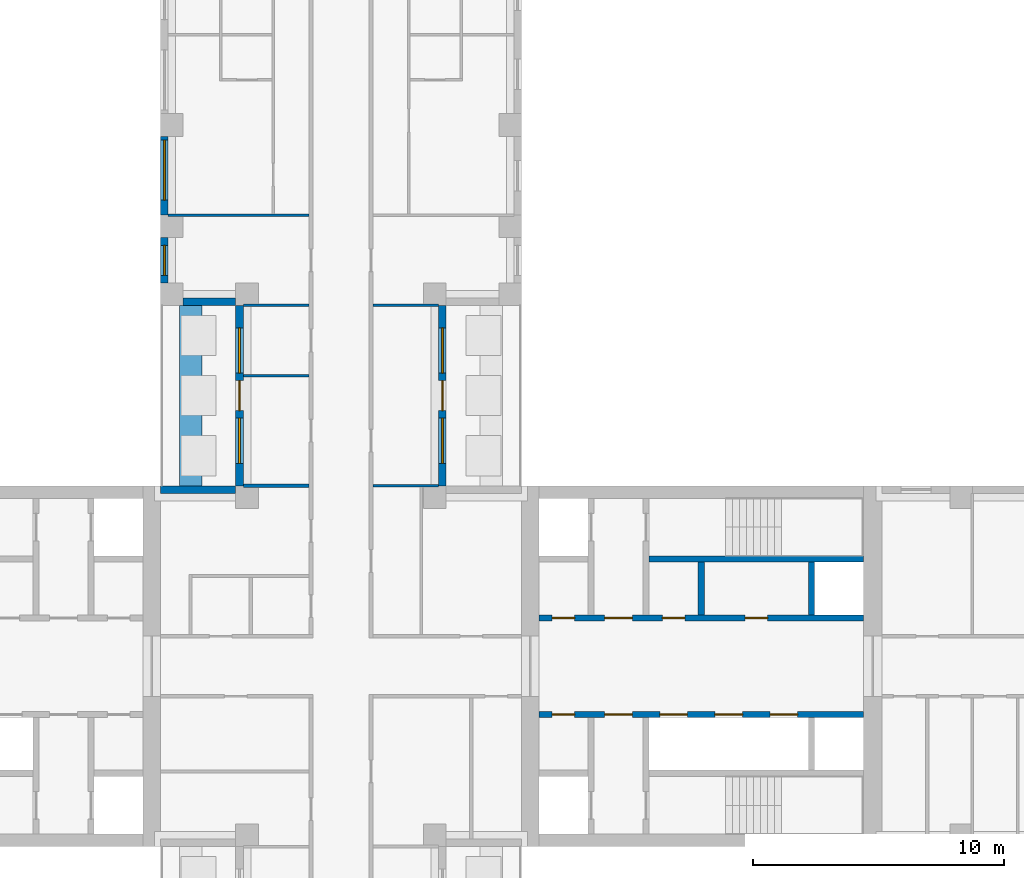
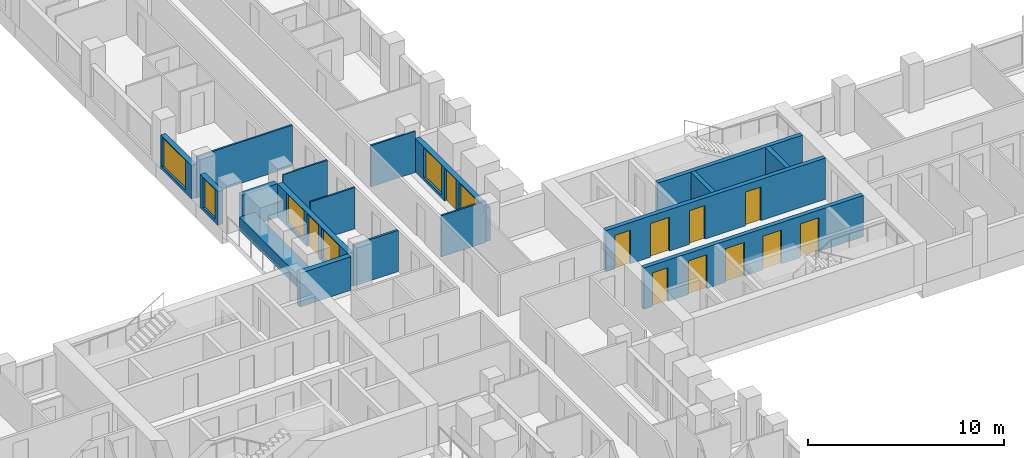
# One storey, part 9 of 16: 18 walls, 11 doors, 6 windows, 17 openings.
"""IFC4 building model written with IfcOpenShell, lengths in metres."""

from ifc_helpers import new_model, si_unit, direction, frame, frame_2d, origin, place, context, subcontext, project, spatial, rectangle, extrude, material, layer, layer_set, type_object, element, fill, save


model = new_model("IFC4")

# Units and contexts
model_context = context("Model", 3, precision=1e-05, world=origin(), true_north=direction((0.0, 1.0)))
body_context = subcontext(model_context, "Body", "Model", "MODEL_VIEW")
ifc_project = project(units=[si_unit("LENGTHUNIT", "METRE"), si_unit("AREAUNIT", "SQUARE_METRE"), si_unit("VOLUMEUNIT", "CUBIC_METRE"), si_unit("PLANEANGLEUNIT", "RADIAN"), si_unit("MASSUNIT", "GRAM", prefix="KILO")], contexts=[model_context])

# Site, building, storey
site_placement = place(None, origin())
site = spatial("IfcSite", under=ifc_project, at=site_placement, CompositionType="ELEMENT")
building_placement = place(site_placement, origin())
building = spatial("IfcBuilding", under=site, at=building_placement, Name="Fustian Cross Tower", CompositionType="ELEMENT")
storey_placement = place(building_placement, frame((0.0, 0.0, 26.699951171875)))
storey = spatial("IfcBuildingStorey", under=building, at=storey_placement, Name="L07", CompositionType="ELEMENT", Elevation=26.699951171875)

# Wall, openings, doors
ifc_material_1 = material(Name="Concrete C50/60", Category="concrete")
ifc_layer_1 = layer(ifc_material_1, 0.25)
ifc_layer_set_1 = layer_set([ifc_layer_1], Name="Concrete C50/60")
wall_type_1 = type_object("IfcWallType", Name="CORE LOBBY WALL 250 C50/60", PredefinedType="SHEAR", material=ifc_layer_set_1)
wall_1_placement = place(storey_placement, frame((7.89990234375, 1.925048828125, 0.0), z_axis=(0.0, 0.0, 1.0), x_axis=(1.0, 0.0, 0.0)))
wall_1 = element("IfcWall", 1, at=wall_1_placement, inside=storey, type_object=wall_type_1, Name="Core lobby wall", PredefinedType="SHEAR", context=body_context, shape_type="SweptSolid", body=[
    extrude(rectangle(XDim=12.9501953125, YDim=0.25, at=frame_2d((6.47509765625, 0.0))), origin(), (0.0, 0.0, 1.0), 2.574951171875),
])
opening_1_placement = place(wall_1_placement, frame((0.52490234375, 0.0, 0.0)))
opening_1 = element("IfcOpeningElement", 2, at=opening_1_placement, cuts=wall_1, Name="Opening CD-05-08", PredefinedType="OPENING", context=body_context, shape_type="SweptSolid", body=[
    extrude(rectangle(XDim=0.89990234375, YDim=2.10009765625, at=frame_2d((0.449951171875, 1.050048828125))), frame((0.0, 0.135009765625, 0.0), z_axis=(0.0, -1.0, 0.0), x_axis=(1.0, 0.0, 0.0)), (0.0, 0.0, 1.0), 0.27001953125),
])
opening_2_placement = place(wall_1_placement, frame((2.625, 0.0, 0.0)))
opening_2 = element("IfcOpeningElement", 3, at=opening_2_placement, cuts=wall_1, Name="Opening CD-05-10", PredefinedType="OPENING", context=body_context, shape_type="SweptSolid", body=[
    extrude(rectangle(XDim=1.10009765625, YDim=2.10009765625, at=frame_2d((0.550048828125, 1.050048828125))), frame((0.0, 0.135009765625, 0.0), z_axis=(0.0, -1.0, 0.0), x_axis=(1.0, 0.0, 0.0)), (0.0, 0.0, 1.0), 0.27001953125),
])
opening_3_placement = place(wall_1_placement, frame((4.925048828125, 0.0, 0.0)))
opening_3 = element("IfcOpeningElement", 4, at=opening_3_placement, cuts=wall_1, Name="Opening CD-05-14", PredefinedType="OPENING", context=body_context, shape_type="SweptSolid", body=[
    extrude(rectangle(XDim=0.89990234375, YDim=2.10009765625, at=frame_2d((0.449951171875, 1.050048828125))), frame((0.0, 0.135009765625, 0.0), z_axis=(0.0, -1.0, 0.0), x_axis=(1.0, 0.0, 0.0)), (0.0, 0.0, 1.0), 0.27001953125),
])
opening_4_placement = place(wall_1_placement, frame((8.22509765625, 0.0, 0.0)))
opening_4 = element("IfcOpeningElement", 5, at=opening_4_placement, cuts=wall_1, Name="Opening CD-05-15", PredefinedType="OPENING", context=body_context, shape_type="SweptSolid", body=[
    extrude(rectangle(XDim=0.89990234375, YDim=2.10009765625, at=frame_2d((0.449951171875, 1.050048828125))), frame((0.0, 0.135009765625, 0.0), z_axis=(0.0, -1.0, 0.0), x_axis=(1.0, 0.0, 0.0)), (0.0, 0.0, 1.0), 0.27001953125),
])
ifc_material_2 = material(Name="Steel", Category="steel")
door_type_1 = type_object("IfcDoorType", Name="FIRE DOOR FD30S 900X2100", OperationType="SINGLE_SWING_LEFT", PredefinedType="DOOR", material=ifc_material_2)
door_1_placement = place(opening_3_placement, origin())
door_1 = element("IfcDoor", 6, at=door_1_placement, inside=storey, type_object=door_type_1, Name="Core door CD-05-14", OperationType="SINGLE_SWING_LEFT", OverallHeight=2.10009765625, OverallWidth=0.89990234375, PredefinedType="DOOR", context=body_context, shape_type="SweptSolid", body=[
    extrude(rectangle(XDim=0.89990234375, YDim=2.10009765625, at=frame_2d((0.449951171875, 1.050048828125))), frame((0.0, 0.02490234375, 0.0), z_axis=(0.0, -1.0, 0.0), x_axis=(1.0, 0.0, 0.0)), (0.0, 0.0, 1.0), 0.050048828125),
])
fill(opening_3, door_1)
door_2_placement = place(opening_4_placement, origin())
door_2 = element("IfcDoor", 7, at=door_2_placement, inside=storey, type_object=door_type_1, Name="Core door CD-05-15", OperationType="SINGLE_SWING_RIGHT", OverallHeight=2.10009765625, OverallWidth=0.89990234375, PredefinedType="DOOR", context=body_context, shape_type="SweptSolid", body=[
    extrude(rectangle(XDim=0.89990234375, YDim=2.10009765625, at=frame_2d((0.449951171875, 1.050048828125))), frame((0.0, 0.02490234375, 0.0), z_axis=(0.0, -1.0, 0.0), x_axis=(1.0, 0.0, 0.0)), (0.0, 0.0, 1.0), 0.050048828125),
])
fill(opening_4, door_2)
ifc_material_3 = material(Name="Steel", Category="steel")
door_type_2 = type_object("IfcDoorType", Name="FIRE DOOR FD60S 1100X2100", OperationType="SINGLE_SWING_LEFT", PredefinedType="DOOR", material=ifc_material_3)
door_3_placement = place(opening_2_placement, frame((1.10009765625, 0.0, 0.0), z_axis=(0.0, 0.0, 1.0), x_axis=(-1.0, 0.0, 0.0)))
door_3 = element("IfcDoor", 8, at=door_3_placement, inside=storey, type_object=door_type_2, Name="Core door CD-05-10", OperationType="SINGLE_SWING_RIGHT", OverallHeight=2.10009765625, OverallWidth=1.10009765625, PredefinedType="DOOR", context=body_context, shape_type="SweptSolid", body=[
    extrude(rectangle(XDim=1.10009765625, YDim=2.10009765625, at=frame_2d((0.550048828125, 1.050048828125))), frame((0.0, 0.02490234375, 0.0), z_axis=(0.0, -1.0, 0.0), x_axis=(1.0, 0.0, 0.0)), (0.0, 0.0, 1.0), 0.050048828125),
])
fill(opening_2, door_3)
ifc_material_4 = material(Name="Steel", Category="steel")
door_type_3 = type_object("IfcDoorType", Name="FIRE DOOR FD60S 900X2100", OperationType="SINGLE_SWING_LEFT", PredefinedType="DOOR", material=ifc_material_4)
door_4_placement = place(opening_1_placement, origin())
door_4 = element("IfcDoor", 9, at=door_4_placement, inside=storey, type_object=door_type_3, Name="Core door CD-05-08", OperationType="SINGLE_SWING_LEFT", OverallHeight=2.10009765625, OverallWidth=0.89990234375, PredefinedType="DOOR", context=body_context, shape_type="SweptSolid", body=[
    extrude(rectangle(XDim=0.89990234375, YDim=2.10009765625, at=frame_2d((0.449951171875, 1.050048828125))), frame((0.0, 0.02490234375, 0.0), z_axis=(0.0, -1.0, 0.0), x_axis=(1.0, 0.0, 0.0)), (0.0, 0.0, 1.0), 0.050048828125),
])
fill(opening_1, door_4)

wall_2_placement = place(storey_placement, frame((7.89990234375, -1.925048828125, 0.0), z_axis=(0.0, 0.0, 1.0), x_axis=(1.0, 0.0, 0.0)))
wall_2 = element("IfcWall", 10, at=wall_2_placement, inside=storey, type_object=wall_type_1, Name="Core lobby wall", PredefinedType="SHEAR", context=body_context, shape_type="SweptSolid", body=[
    extrude(rectangle(XDim=12.9501953125, YDim=0.25, at=frame_2d((6.47509765625, 0.0))), origin(), (0.0, 0.0, 1.0), 2.574951171875),
])
opening_5_placement = place(wall_2_placement, frame((4.824951171875, 0.0, 0.0)))
opening_5 = element("IfcOpeningElement", 11, at=opening_5_placement, cuts=wall_2, Name="Opening LD", PredefinedType="OPENING", context=body_context, shape_type="SweptSolid", body=[
    extrude(rectangle(XDim=1.10009765625, YDim=2.10009765625, at=frame_2d((0.550048828125, 1.050048828125))), frame((0.0, 0.135009765625, 0.0), z_axis=(0.0, -1.0, 0.0), x_axis=(1.0, 0.0, 0.0)), (0.0, 0.0, 1.0), 0.27001953125),
])
opening_6_placement = place(wall_2_placement, frame((7.02490234375, 0.0, 0.0)))
opening_6 = element("IfcOpeningElement", 12, at=opening_6_placement, cuts=wall_2, Name="Opening LD", PredefinedType="OPENING", context=body_context, shape_type="SweptSolid", body=[
    extrude(rectangle(XDim=1.10009765625, YDim=2.10009765625, at=frame_2d((0.550048828125, 1.050048828125))), frame((0.0, 0.135009765625, 0.0), z_axis=(0.0, -1.0, 0.0), x_axis=(1.0, 0.0, 0.0)), (0.0, 0.0, 1.0), 0.27001953125),
])
opening_7_placement = place(wall_2_placement, frame((9.22509765625, 0.0, 0.0)))
opening_7 = element("IfcOpeningElement", 13, at=opening_7_placement, cuts=wall_2, Name="Opening LD", PredefinedType="OPENING", context=body_context, shape_type="SweptSolid", body=[
    extrude(rectangle(XDim=1.10009765625, YDim=2.10009765625, at=frame_2d((0.550048828125, 1.050048828125))), frame((0.0, 0.135009765625, 0.0), z_axis=(0.0, -1.0, 0.0), x_axis=(1.0, 0.0, 0.0)), (0.0, 0.0, 1.0), 0.27001953125),
])
opening_8_placement = place(wall_2_placement, frame((0.52490234375, 0.0, 0.0)))
opening_8 = element("IfcOpeningElement", 14, at=opening_8_placement, cuts=wall_2, Name="Opening CD-05-09", PredefinedType="OPENING", context=body_context, shape_type="SweptSolid", body=[
    extrude(rectangle(XDim=0.89990234375, YDim=2.10009765625, at=frame_2d((0.449951171875, 1.050048828125))), frame((0.0, 0.135009765625, 0.0), z_axis=(0.0, -1.0, 0.0), x_axis=(1.0, 0.0, 0.0)), (0.0, 0.0, 1.0), 0.27001953125),
])
opening_9_placement = place(wall_2_placement, frame((2.625, 0.0, 0.0)))
opening_9 = element("IfcOpeningElement", 15, at=opening_9_placement, cuts=wall_2, Name="Opening CD-05-11", PredefinedType="OPENING", context=body_context, shape_type="SweptSolid", body=[
    extrude(rectangle(XDim=1.10009765625, YDim=2.10009765625, at=frame_2d((0.550048828125, 1.050048828125))), frame((0.0, 0.135009765625, 0.0), z_axis=(0.0, -1.0, 0.0), x_axis=(1.0, 0.0, 0.0)), (0.0, 0.0, 1.0), 0.27001953125),
])
ifc_material_5 = material(Name="Steel", Category="steel")
door_type_4 = type_object("IfcDoorType", Name="FIRE DOOR FD30S 1100X2100", OperationType="SINGLE_SWING_LEFT", PredefinedType="DOOR", material=ifc_material_5)
door_5_placement = place(opening_9_placement, frame((1.10009765625, 0.0, 0.0), z_axis=(0.0, 0.0, 1.0), x_axis=(-1.0, 0.0, 0.0)))
door_5 = element("IfcDoor", 16, at=door_5_placement, inside=storey, type_object=door_type_4, Name="Core door CD-05-11", OperationType="SINGLE_SWING_RIGHT", OverallHeight=2.10009765625, OverallWidth=1.10009765625, PredefinedType="DOOR", context=body_context, shape_type="SweptSolid", body=[
    extrude(rectangle(XDim=1.10009765625, YDim=2.10009765625, at=frame_2d((0.550048828125, 1.050048828125))), frame((0.0, 0.02490234375, 0.0), z_axis=(0.0, -1.0, 0.0), x_axis=(1.0, 0.0, 0.0)), (0.0, 0.0, 1.0), 0.050048828125),
])
fill(opening_9, door_5)
door_6_placement = place(opening_8_placement, frame((0.89990234375, 0.0, 0.0), z_axis=(0.0, 0.0, 1.0), x_axis=(-1.0, 0.0, 0.0)))
door_6 = element("IfcDoor", 17, at=door_6_placement, inside=storey, type_object=door_type_1, Name="Core door CD-05-09", OperationType="SINGLE_SWING_RIGHT", OverallHeight=2.10009765625, OverallWidth=0.89990234375, PredefinedType="DOOR", context=body_context, shape_type="SweptSolid", body=[
    extrude(rectangle(XDim=0.89990234375, YDim=2.10009765625, at=frame_2d((0.449951171875, 1.050048828125))), frame((0.0, 0.02490234375, 0.0), z_axis=(0.0, -1.0, 0.0), x_axis=(1.0, 0.0, 0.0)), (0.0, 0.0, 1.0), 0.050048828125),
])
fill(opening_8, door_6)
ifc_material_6 = material(Name="Stainless steel", Category="steel")
door_type_5 = type_object("IfcDoorType", Name="LIFT LANDING DOOR 1100X2100", OperationType="SLIDING_TO_LEFT", PredefinedType="DOOR", material=ifc_material_6)
door_7_placement = place(opening_5_placement, origin())
door_7 = element("IfcDoor", 18, at=door_7_placement, inside=storey, type_object=door_type_5, Name="Landing door LR1", OperationType="SLIDING_TO_LEFT", OverallHeight=2.10009765625, OverallWidth=1.10009765625, PredefinedType="DOOR", context=body_context, shape_type="SweptSolid", body=[
    extrude(rectangle(XDim=1.10009765625, YDim=2.10009765625, at=frame_2d((0.550048828125, 1.050048828125))), frame((0.0, 0.02490234375, 0.0), z_axis=(0.0, -1.0, 0.0), x_axis=(1.0, 0.0, 0.0)), (0.0, 0.0, 1.0), 0.050048828125),
])
fill(opening_5, door_7)
door_8_placement = place(opening_6_placement, origin())
door_8 = element("IfcDoor", 19, at=door_8_placement, inside=storey, type_object=door_type_5, Name="Landing door LR2", OperationType="SLIDING_TO_LEFT", OverallHeight=2.10009765625, OverallWidth=1.10009765625, PredefinedType="DOOR", context=body_context, shape_type="SweptSolid", body=[
    extrude(rectangle(XDim=1.10009765625, YDim=2.10009765625, at=frame_2d((0.550048828125, 1.050048828125))), frame((0.0, 0.02490234375, 0.0), z_axis=(0.0, -1.0, 0.0), x_axis=(1.0, 0.0, 0.0)), (0.0, 0.0, 1.0), 0.050048828125),
])
fill(opening_6, door_8)
door_9_placement = place(opening_7_placement, origin())
door_9 = element("IfcDoor", 20, at=door_9_placement, inside=storey, type_object=door_type_5, Name="Landing door LR3", OperationType="SLIDING_TO_LEFT", OverallHeight=2.10009765625, OverallWidth=1.10009765625, PredefinedType="DOOR", context=body_context, shape_type="SweptSolid", body=[
    extrude(rectangle(XDim=1.10009765625, YDim=2.10009765625, at=frame_2d((0.550048828125, 1.050048828125))), frame((0.0, 0.02490234375, 0.0), z_axis=(0.0, -1.0, 0.0), x_axis=(1.0, 0.0, 0.0)), (0.0, 0.0, 1.0), 0.050048828125),
])
fill(opening_7, door_9)

# Walls
ifc_material_7 = material(Name="Concrete C50/60", Category="concrete")
ifc_layer_2 = layer(ifc_material_7, 0.25)
ifc_layer_set_2 = layer_set([ifc_layer_2], Name="Concrete C50/60")
wall_type_2 = type_object("IfcWallType", Name="CORE SHAFT WALL 250 C50/60", PredefinedType="SHEAR", material=ifc_layer_set_2)
wall_3_placement = place(storey_placement, frame((12.300048828125, 4.27490234375, 0.0), z_axis=(0.0, 0.0, 1.0), x_axis=(1.0, 0.0, 0.0)))
element("IfcWall", 21, at=wall_3_placement, inside=storey, type_object=wall_type_2, Name="Core shaft wall", PredefinedType="SHEAR", context=body_context, shape_type="SweptSolid", body=[
    extrude(rectangle(XDim=8.550048828125, YDim=0.25, at=frame_2d((4.27490234375, 0.0))), origin(), (0.0, 0.0, 1.0), 2.574951171875),
])
ifc_material_8 = material(Name="Plasterboard on steel stud", Category="steel")
ifc_layer_3 = layer(ifc_material_8, 0.10009765625)
ifc_layer_set_3 = layer_set([ifc_layer_3], Name="Plasterboard on steel stud")
wall_type_3 = type_object("IfcWallType", Name="PARTITION 100 STUD", PredefinedType="PARTITIONING", material=ifc_layer_set_3)
wall_4_placement = place(storey_placement, frame((-6.89990234375, 18.0, 0.0), z_axis=(0.0, 0.0, 1.0), x_axis=(1.0, 0.0, 0.0)))
element("IfcWall", 22, at=wall_4_placement, inside=storey, type_object=wall_type_3, Name="Partition 24", PredefinedType="PARTITIONING", context=body_context, shape_type="SweptSolid", body=[
    extrude(rectangle(XDim=5.625, YDim=0.10009765625, at=frame_2d((2.8125, 0.0))), origin(), (0.0, 0.0, 1.0), 2.574951171875),
])
for number, where, z_axis, x_axis, name in (
    (23, (-3.89990234375, 11.60009765625, 0.0), (0.0, 0.0, 1.0), (1.0, 0.0, 0.0), "Partition 46"),
    (24, (-3.89990234375, 14.39990234375, 0.0), (0.0, 0.0, 1.0), (1.0, 0.0, 0.0), "Partition 47"),
    (25, (1.27490234375, 7.199951171875, 0.0), (0.0, 0.0, 1.0), (1.0, 0.0, 0.0), "Partition 60"),
    (26, (1.27490234375, 14.39990234375, 0.0), (0.0, 0.0, 1.0), (1.0, 0.0, 0.0), "Partition 61"),
):
    element("IfcWall", number, at=place(storey_placement, frame(where, z_axis=z_axis, x_axis=x_axis)), inside=storey, type_object=wall_type_3, Name=name, PredefinedType="PARTITIONING", context=body_context, shape_type="SweptSolid", body=[
        extrude(rectangle(XDim=2.625, YDim=0.10009765625, at=frame_2d((1.3125, 0.0))), origin(), (0.0, 0.0, 1.0), 2.574951171875),
    ])
ifc_material_9 = material(Name="Concrete C40/50", Category="concrete")
ifc_layer_4 = layer(ifc_material_9, 0.89990234375)
ifc_layer_set_4 = layer_set([ifc_layer_4], Name="Concrete C40/50")
wall_type_4 = type_object("IfcWallType", Name="PK1 PLANTER 900", PredefinedType="PARAPET", material=ifc_layer_set_4)
wall_5_placement = place(storey_placement, frame((-6.0, 7.199951171875, 0.0), z_axis=(0.0, 0.0, 1.0), x_axis=(0.0, 1.0, 0.0)))
element("IfcWall", 27, at=wall_5_placement, inside=storey, type_object=wall_type_4, Name="PLANTER", PredefinedType="PARAPET", context=body_context, shape_type="SweptSolid", body=[
    extrude(rectangle(XDim=7.199951171875, YDim=0.89990234375, at=frame_2d((3.60009765625, 0.0))), origin(), (0.0, 0.0, 1.0), 0.800048828125),
])
ifc_material_10 = material(Name="Concrete C40/50", Category="concrete")
ifc_layer_5 = layer(ifc_material_10, 0.25)
ifc_layer_set_5 = layer_set([ifc_layer_5], Name="Concrete C40/50")
wall_type_5 = type_object("IfcWallType", Name="SHAFT PARTITION WALL 250 C40/50", PredefinedType="PARTITIONING", material=ifc_layer_set_5)
for number, where, z_axis, x_axis, name in (
    (28, (14.375, 2.050048828125, 0.0), (0.0, 0.0, 1.0), (0.0, 1.0, 0.0), "Core shaft wall"),
    (29, (18.77490234375, 2.050048828125, 0.0), (0.0, 0.0, 1.0), (0.0, 1.0, 0.0), "Core shaft wall"),
):
    element("IfcWall", number, at=place(storey_placement, frame(where, z_axis=z_axis, x_axis=x_axis)), inside=storey, type_object=wall_type_5, Name=name, PredefinedType="PARTITIONING", context=body_context, shape_type="SweptSolid", body=[
        extrude(rectangle(XDim=2.099853515625, YDim=0.25, at=frame_2d((1.0498046875, 0.0))), origin(), (0.0, 0.0, 1.0), 2.574951171875),
    ])
ifc_material_11 = material(Name="Plasterboard on steel stud", Category="steel")
ifc_layer_6 = layer(ifc_material_11, 0.125)
ifc_layer_set_6 = layer_set([ifc_layer_6], Name="Plasterboard on steel stud")
wall_type_6 = type_object("IfcWallType", Name="WET WALL 125 STUD", PredefinedType="PARTITIONING", material=ifc_layer_set_6)
wall_6_placement = place(storey_placement, frame((-3.89990234375, 7.199951171875, 0.0), z_axis=(0.0, 0.0, 1.0), x_axis=(1.0, 0.0, 0.0)))
element("IfcWall", 30, at=wall_6_placement, inside=storey, type_object=wall_type_6, Name="Partition 45", PredefinedType="PARTITIONING", context=body_context, shape_type="SweptSolid", body=[
    extrude(rectangle(XDim=2.625, YDim=0.125, at=frame_2d((1.3125, 0.0))), origin(), (0.0, 0.0, 1.0), 2.574951171875),
])

# Wall, openings, door, windows
ifc_material_12 = material(Name="Dark aluminium cladding on insulated backing wall", Category="aluminium")
ifc_layer_7 = layer(ifc_material_12, 0.300048828125)
ifc_layer_set_7 = layer_set([ifc_layer_7], Name="Dark aluminium cladding on insulated backing wall")
wall_type_7 = type_object("IfcWallType", Name="XW1 EXTERNAL WALL 300", PredefinedType="SOLIDWALL", material=ifc_layer_set_7)
wall_7_placement = place(storey_placement, frame((4.050048828125, 7.199951171875, 0.0), z_axis=(0.0, 0.0, 1.0), x_axis=(0.0, 1.0, 0.0)))
wall_7 = element("IfcWall", 31, at=wall_7_placement, inside=storey, type_object=wall_type_7, Name="External wall", PredefinedType="SOLIDWALL", context=body_context, shape_type="SweptSolid", body=[
    extrude(rectangle(XDim=7.199951171875, YDim=0.300048828125, at=frame_2d((3.60009765625, 0.0))), origin(), (0.0, 0.0, 1.0), 2.10009765625),
])
opening_10_placement = place(wall_7_placement, frame((3.0, 0.0, 0.0)))
opening_10 = element("IfcOpeningElement", 32, at=opening_10_placement, cuts=wall_7, Name="Opening XD1", PredefinedType="OPENING", context=body_context, shape_type="SweptSolid", body=[
    extrude(rectangle(XDim=1.199951171875, YDim=2.050048828125, at=frame_2d((0.60009765625, 1.02490234375))), frame((0.0, 0.159912109375, 0.0), z_axis=(0.0, -1.0, 0.0), x_axis=(1.0, 0.0, 0.0)), (0.0, 0.0, 1.0), 0.320068359375),
])
opening_11_placement = place(wall_7_placement, frame((0.89990234375, 0.0, 0.199951171875)))
opening_11 = element("IfcOpeningElement", 33, at=opening_11_placement, cuts=wall_7, Name="Opening WN2", PredefinedType="OPENING", context=body_context, shape_type="SweptSolid", body=[
    extrude(rectangle(XDim=1.800048828125, YDim=1.85009765625, at=frame_2d((0.89990234375, 0.925048828125))), frame((0.0, 0.159912109375, 0.0), z_axis=(0.0, -1.0, 0.0), x_axis=(1.0, 0.0, 0.0)), (0.0, 0.0, 1.0), 0.320068359375),
])
opening_12_placement = place(wall_7_placement, frame((4.5, 0.0, 0.199951171875)))
opening_12 = element("IfcOpeningElement", 34, at=opening_12_placement, cuts=wall_7, Name="Opening WN2", PredefinedType="OPENING", context=body_context, shape_type="SweptSolid", body=[
    extrude(rectangle(XDim=1.800048828125, YDim=1.85009765625, at=frame_2d((0.89990234375, 0.925048828125))), frame((0.0, 0.159912109375, 0.0), z_axis=(0.0, -1.0, 0.0), x_axis=(1.0, 0.0, 0.0)), (0.0, 0.0, 1.0), 0.320068359375),
])
ifc_material_13 = material(Name="Dark anodised aluminium and double glazing", Category="aluminium")
door_type_6 = type_object("IfcDoorType", Name="ED1 BALCONY DOOR 1200X2050", OperationType="SINGLE_SWING_LEFT", PredefinedType="DOOR", material=ifc_material_13)
door_10_placement = place(opening_10_placement, origin())
door_10 = element("IfcDoor", 35, at=door_10_placement, inside=storey, type_object=door_type_6, Name="Balcony door", OperationType="SINGLE_SWING_LEFT", OverallHeight=2.050048828125, OverallWidth=1.199951171875, PredefinedType="DOOR", context=body_context, shape_type="SweptSolid", body=[
    extrude(rectangle(XDim=1.199951171875, YDim=2.050048828125, at=frame_2d((0.60009765625, 1.02490234375))), frame((0.0, 0.02490234375, 0.0), z_axis=(0.0, -1.0, 0.0), x_axis=(1.0, 0.0, 0.0)), (0.0, 0.0, 1.0), 0.050048828125),
])
fill(opening_10, door_10)
ifc_material_14 = material(Name="Dark anodised aluminium and double glazing", Category="aluminium")
window_type_1 = type_object("IfcWindowType", Name="WN2 WINDOW 1800X1850", PartitioningType="SINGLE_PANEL", PredefinedType="WINDOW", material=ifc_material_14)
window_1_placement = place(opening_11_placement, origin())
window_1 = element("IfcWindow", 36, at=window_1_placement, inside=storey, type_object=window_type_1, Name="Window", OverallHeight=1.85009765625, OverallWidth=1.800048828125, PartitioningType="SINGLE_PANEL", PredefinedType="WINDOW", context=body_context, shape_type="SweptSolid", body=[
    extrude(rectangle(XDim=1.800048828125, YDim=1.85009765625, at=frame_2d((0.89990234375, 0.925048828125))), frame((0.0, 0.030029296875, 0.0), z_axis=(0.0, -1.0, 0.0), x_axis=(1.0, 0.0, 0.0)), (0.0, 0.0, 1.0), 0.06005859375),
])
fill(opening_11, window_1)
window_2_placement = place(opening_12_placement, origin())
window_2 = element("IfcWindow", 37, at=window_2_placement, inside=storey, type_object=window_type_1, Name="Window", OverallHeight=1.85009765625, OverallWidth=1.800048828125, PartitioningType="SINGLE_PANEL", PredefinedType="WINDOW", context=body_context, shape_type="SweptSolid", body=[
    extrude(rectangle(XDim=1.800048828125, YDim=1.85009765625, at=frame_2d((0.89990234375, 0.925048828125))), frame((0.0, 0.030029296875, 0.0), z_axis=(0.0, -1.0, 0.0), x_axis=(1.0, 0.0, 0.0)), (0.0, 0.0, 1.0), 0.06005859375),
])
fill(opening_12, window_2)

# Wall, opening, window
wall_8_placement = place(storey_placement, frame((-7.050048828125, 21.14990234375, 0.0), z_axis=(0.0, 0.0, 1.0), x_axis=(0.0, -1.0, 0.0)))
wall_8 = element("IfcWall", 38, at=wall_8_placement, inside=storey, type_object=wall_type_7, Name="External wall", PredefinedType="SOLIDWALL", context=body_context, shape_type="SweptSolid", body=[
    extrude(rectangle(XDim=3.14990234375, YDim=0.300048828125, at=frame_2d((1.574951171875, 0.0))), origin(), (0.0, 0.0, 1.0), 2.10009765625),
])
opening_13_placement = place(wall_8_placement, frame((0.14990234375, 0.0, 0.199951171875)))
opening_13 = element("IfcOpeningElement", 39, at=opening_13_placement, cuts=wall_8, Name="Opening WN1", PredefinedType="OPENING", context=body_context, shape_type="SweptSolid", body=[
    extrude(rectangle(XDim=2.39990234375, YDim=1.85009765625, at=frame_2d((1.199951171875, 0.925048828125))), frame((0.0, 0.159912109375, 0.0), z_axis=(0.0, -1.0, 0.0), x_axis=(1.0, 0.0, 0.0)), (0.0, 0.0, 1.0), 0.320068359375),
])
ifc_material_15 = material(Name="Dark anodised aluminium and double glazing", Category="aluminium")
window_type_2 = type_object("IfcWindowType", Name="WN1 WINDOW 2400X1850", PartitioningType="SINGLE_PANEL", PredefinedType="WINDOW", material=ifc_material_15)
window_3_placement = place(opening_13_placement, origin())
window_3 = element("IfcWindow", 40, at=window_3_placement, inside=storey, type_object=window_type_2, Name="Window", OverallHeight=1.85009765625, OverallWidth=2.39990234375, PartitioningType="SINGLE_PANEL", PredefinedType="WINDOW", context=body_context, shape_type="SweptSolid", body=[
    extrude(rectangle(XDim=2.39990234375, YDim=1.85009765625, at=frame_2d((1.199951171875, 0.925048828125))), frame((0.0, 0.030029296875, 0.0), z_axis=(0.0, -1.0, 0.0), x_axis=(1.0, 0.0, 0.0)), (0.0, 0.0, 1.0), 0.06005859375),
])
fill(opening_13, window_3)

wall_9_placement = place(storey_placement, frame((-7.050048828125, 17.10009765625, 0.0), z_axis=(0.0, 0.0, 1.0), x_axis=(0.0, -1.0, 0.0)))
wall_9 = element("IfcWall", 41, at=wall_9_placement, inside=storey, type_object=wall_type_7, Name="External wall", PredefinedType="SOLIDWALL", context=body_context, shape_type="SweptSolid", body=[
    extrude(rectangle(XDim=1.800048828125, YDim=0.300048828125, at=frame_2d((0.89990234375, 0.0))), origin(), (0.0, 0.0, 1.0), 2.10009765625),
])
opening_14_placement = place(wall_9_placement, frame((0.300048828125, 0.0, 0.199951171875)))
opening_14 = element("IfcOpeningElement", 42, at=opening_14_placement, cuts=wall_9, Name="Opening WN3", PredefinedType="OPENING", context=body_context, shape_type="SweptSolid", body=[
    extrude(rectangle(XDim=1.199951171875, YDim=1.85009765625, at=frame_2d((0.60009765625, 0.925048828125))), frame((0.0, 0.159912109375, 0.0), z_axis=(0.0, -1.0, 0.0), x_axis=(1.0, 0.0, 0.0)), (0.0, 0.0, 1.0), 0.320068359375),
])
ifc_material_16 = material(Name="Dark anodised aluminium and double glazing", Category="aluminium")
window_type_3 = type_object("IfcWindowType", Name="WN3 WINDOW 1200X1850", PartitioningType="SINGLE_PANEL", PredefinedType="WINDOW", material=ifc_material_16)
window_4_placement = place(opening_14_placement, origin())
window_4 = element("IfcWindow", 43, at=window_4_placement, inside=storey, type_object=window_type_3, Name="Window", OverallHeight=1.85009765625, OverallWidth=1.199951171875, PartitioningType="SINGLE_PANEL", PredefinedType="WINDOW", context=body_context, shape_type="SweptSolid", body=[
    extrude(rectangle(XDim=1.199951171875, YDim=1.85009765625, at=frame_2d((0.60009765625, 0.925048828125))), frame((0.0, 0.030029296875, 0.0), z_axis=(0.0, -1.0, 0.0), x_axis=(1.0, 0.0, 0.0)), (0.0, 0.0, 1.0), 0.06005859375),
])
fill(opening_14, window_4)

# Wall
wall_10_placement = place(storey_placement, frame((-6.300048828125, 14.550048828125, 0.0), z_axis=(0.0, 0.0, 1.0), x_axis=(1.0, 0.0, 0.0)))
element("IfcWall", 44, at=wall_10_placement, inside=storey, type_object=wall_type_7, Name="External wall", PredefinedType="SOLIDWALL", context=body_context, shape_type="SweptSolid", body=[
    extrude(rectangle(XDim=2.10009765625, YDim=0.300048828125, at=frame_2d((1.050048828125, 0.0))), origin(), (0.0, 0.0, 1.0), 2.10009765625),
])

# Wall, openings, door, windows
wall_11_placement = place(storey_placement, frame((-4.050048828125, 14.39990234375, 0.0), z_axis=(0.0, 0.0, 1.0), x_axis=(0.0, -1.0, 0.0)))
wall_11 = element("IfcWall", 45, at=wall_11_placement, inside=storey, type_object=wall_type_7, Name="External wall", PredefinedType="SOLIDWALL", context=body_context, shape_type="SweptSolid", body=[
    extrude(rectangle(XDim=7.199951171875, YDim=0.300048828125, at=frame_2d((3.60009765625, 0.0))), origin(), (0.0, 0.0, 1.0), 2.10009765625),
])
opening_15_placement = place(wall_11_placement, frame((3.0, 0.0, 0.0)))
opening_15 = element("IfcOpeningElement", 46, at=opening_15_placement, cuts=wall_11, Name="Opening XD2", PredefinedType="OPENING", context=body_context, shape_type="SweptSolid", body=[
    extrude(rectangle(XDim=1.199951171875, YDim=2.050048828125, at=frame_2d((0.60009765625, 1.02490234375))), frame((0.0, 0.159912109375, 0.0), z_axis=(0.0, -1.0, 0.0), x_axis=(1.0, 0.0, 0.0)), (0.0, 0.0, 1.0), 0.320068359375),
])
opening_16_placement = place(wall_11_placement, frame((0.89990234375, 0.0, 0.199951171875)))
opening_16 = element("IfcOpeningElement", 47, at=opening_16_placement, cuts=wall_11, Name="Opening WN2", PredefinedType="OPENING", context=body_context, shape_type="SweptSolid", body=[
    extrude(rectangle(XDim=1.800048828125, YDim=1.85009765625, at=frame_2d((0.89990234375, 0.925048828125))), frame((0.0, 0.159912109375, 0.0), z_axis=(0.0, -1.0, 0.0), x_axis=(1.0, 0.0, 0.0)), (0.0, 0.0, 1.0), 0.320068359375),
])
opening_17_placement = place(wall_11_placement, frame((4.5, 0.0, 0.199951171875)))
opening_17 = element("IfcOpeningElement", 48, at=opening_17_placement, cuts=wall_11, Name="Opening WN2", PredefinedType="OPENING", context=body_context, shape_type="SweptSolid", body=[
    extrude(rectangle(XDim=1.800048828125, YDim=1.85009765625, at=frame_2d((0.89990234375, 0.925048828125))), frame((0.0, 0.159912109375, 0.0), z_axis=(0.0, -1.0, 0.0), x_axis=(1.0, 0.0, 0.0)), (0.0, 0.0, 1.0), 0.320068359375),
])
door_11_placement = place(opening_15_placement, origin())
door_11 = element("IfcDoor", 49, at=door_11_placement, inside=storey, type_object=door_type_6, Name="Balcony door", OperationType="SINGLE_SWING_LEFT", OverallHeight=2.050048828125, OverallWidth=1.199951171875, PredefinedType="DOOR", context=body_context, shape_type="SweptSolid", body=[
    extrude(rectangle(XDim=1.199951171875, YDim=2.050048828125, at=frame_2d((0.60009765625, 1.02490234375))), frame((0.0, 0.02490234375, 0.0), z_axis=(0.0, -1.0, 0.0), x_axis=(1.0, 0.0, 0.0)), (0.0, 0.0, 1.0), 0.050048828125),
])
fill(opening_15, door_11)
window_5_placement = place(opening_16_placement, origin())
window_5 = element("IfcWindow", 50, at=window_5_placement, inside=storey, type_object=window_type_1, Name="Window", OverallHeight=1.85009765625, OverallWidth=1.800048828125, PartitioningType="SINGLE_PANEL", PredefinedType="WINDOW", context=body_context, shape_type="SweptSolid", body=[
    extrude(rectangle(XDim=1.800048828125, YDim=1.85009765625, at=frame_2d((0.89990234375, 0.925048828125))), frame((0.0, 0.030029296875, 0.0), z_axis=(0.0, -1.0, 0.0), x_axis=(1.0, 0.0, 0.0)), (0.0, 0.0, 1.0), 0.06005859375),
])
fill(opening_16, window_5)
window_6_placement = place(opening_17_placement, origin())
window_6 = element("IfcWindow", 51, at=window_6_placement, inside=storey, type_object=window_type_1, Name="Window", OverallHeight=1.85009765625, OverallWidth=1.800048828125, PartitioningType="SINGLE_PANEL", PredefinedType="WINDOW", context=body_context, shape_type="SweptSolid", body=[
    extrude(rectangle(XDim=1.800048828125, YDim=1.85009765625, at=frame_2d((0.89990234375, 0.925048828125))), frame((0.0, 0.030029296875, 0.0), z_axis=(0.0, -1.0, 0.0), x_axis=(1.0, 0.0, 0.0)), (0.0, 0.0, 1.0), 0.06005859375),
])
fill(opening_17, window_6)

# Wall
wall_12_placement = place(storey_placement, frame((-4.199951171875, 7.050048828125, 0.0), z_axis=(0.0, 0.0, 1.0), x_axis=(-1.0, 0.0, 0.0)))
element("IfcWall", 52, at=wall_12_placement, inside=storey, type_object=wall_type_7, Name="External wall", PredefinedType="SOLIDWALL", context=body_context, shape_type="SweptSolid", body=[
    extrude(rectangle(XDim=3.0, YDim=0.300048828125, at=frame_2d((1.5, 0.0))), origin(), (0.0, 0.0, 1.0), 2.10009765625),
])

save(model, "model.ifc")
